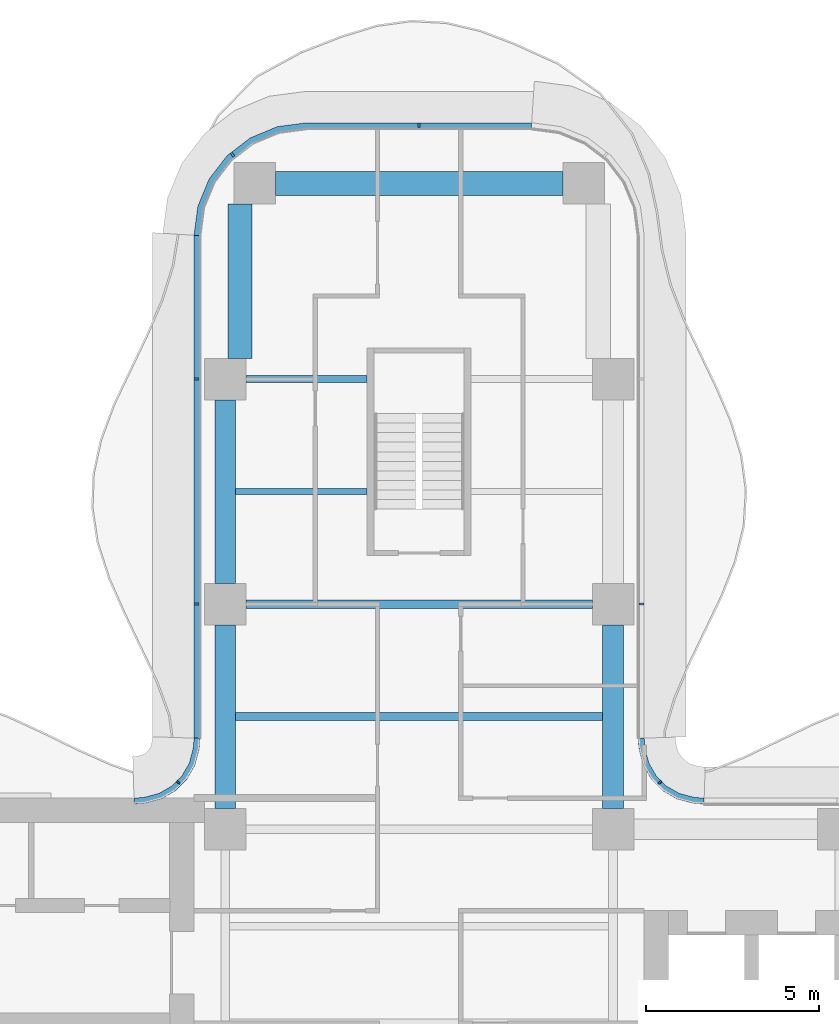
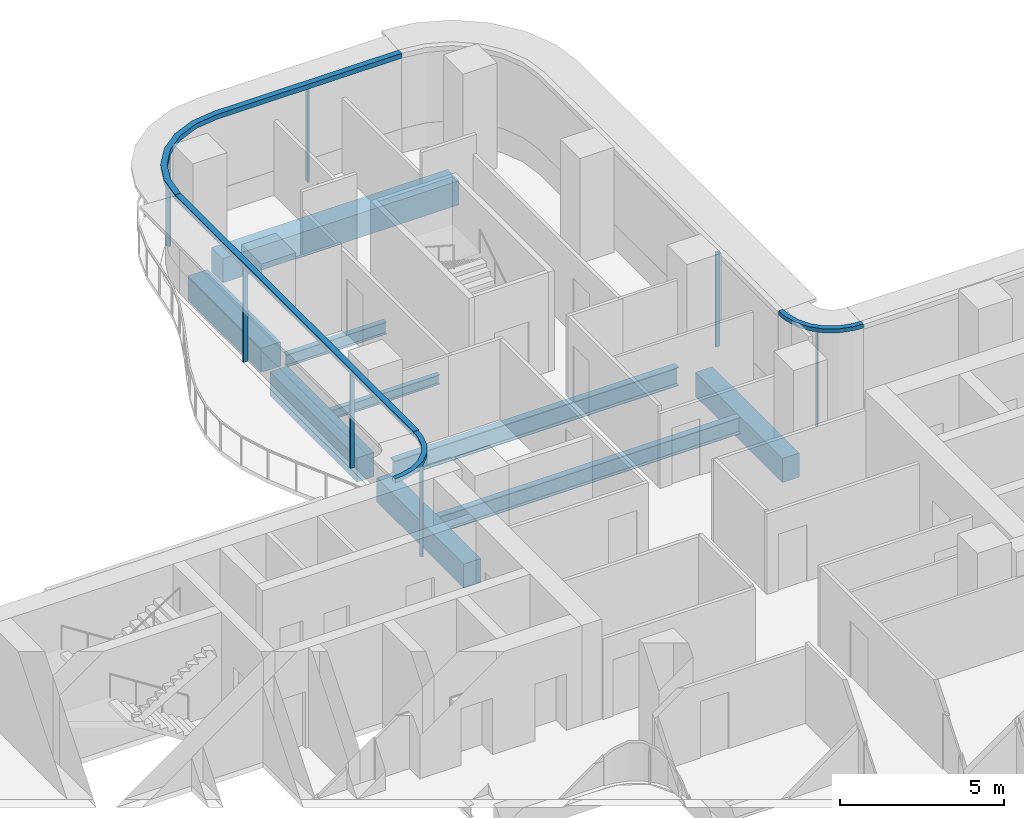
# One storey, part 7 of 18: 11 members, 9 beams, 5 elements without a shape of their own.
"""IFC4 building model written with IfcOpenShell, lengths in metres."""

from ifc_helpers import new_model, si_unit, direction, frame, origin, origin_2d, place, context, subcontext, project, spatial, polyline, rectangle, i_section, outline, extrude, source, transform, mapped, material, layer, layer_set, material_profile, profile_set, type_object, element, aggregate, save


model = new_model("IFC4")

# Units and contexts
model_context = context("Model", 3, precision=1e-05, world=origin(), true_north=direction((0.0, 1.0)))
body_context = subcontext(model_context, "Body", "Model", "MODEL_VIEW")
ifc_project = project(units=[si_unit("LENGTHUNIT", "METRE"), si_unit("AREAUNIT", "SQUARE_METRE"), si_unit("VOLUMEUNIT", "CUBIC_METRE"), si_unit("PLANEANGLEUNIT", "RADIAN"), si_unit("MASSUNIT", "GRAM", prefix="KILO")], contexts=[model_context])

# Site, building, storey
site_placement = place(None, origin())
site = spatial("IfcSite", under=ifc_project, at=site_placement, CompositionType="ELEMENT")
building_placement = place(site_placement, origin())
building = spatial("IfcBuilding", under=site, at=building_placement, Name="Trellis Farm Tower", CompositionType="ELEMENT")
storey_placement = place(building_placement, frame((0.0, 0.0, 177.60009765625)))
storey = spatial("IfcBuildingStorey", under=building, at=storey_placement, Name="L38", CompositionType="ELEMENT", Elevation=177.60009765625)

# Beams
ifc_material_1 = material(Name="Steel S355", Category="steel")
ifc_material_profile_1 = material_profile(ifc_material_1, i_section(OverallWidth=0.1904296875, OverallDepth=0.45703125, WebThickness=0.009033203125, FlangeThickness=0.014404296875, FilletRadius=0.01025390625, at=origin_2d()), Name="UB 457x191x74")
ifc_profile_set_1 = profile_set([ifc_material_profile_1], Name="Steel S355")
beam_type_1 = type_object("IfcBeamType", Name="UB 457x191x74", PredefinedType="BEAM", material=ifc_profile_set_1)
shared_shape_1 = source(origin(), body_context, "Body", "SweptSolid", [
    extrude(i_section(OverallWidth=0.1904296875, OverallDepth=0.45703125, WebThickness=0.009033203125, FlangeThickness=0.014404296875, FilletRadius=0.01025390625, at=origin_2d()), origin(), (0.0, 0.0, 1.0), 3.5),
])
beam_1_placement = place(storey_placement, frame((-5.0, 18.60009765625, -0.4287109375), z_axis=(1.0, 0.0, 0.0), x_axis=(0.0, 1.0, 0.0)))
element("IfcBeam", 1, at=beam_1_placement, inside=storey, type_object=beam_type_1, Name="Girder", PredefinedType="BEAM", context=body_context, shape_type="MappedRepresentation", body=[
    mapped(shared_shape_1, transform((0.0, 0.0, 0.0))),
])
ifc_material_2 = material(Name="Concrete C60/75", Category="concrete")
ifc_material_profile_2 = material_profile(ifc_material_2, rectangle(XDim=0.60009765625, YDim=0.89990234375, at=origin_2d()), Name="RC spandrel beam 600x900 C60/75")
ifc_profile_set_2 = profile_set([ifc_material_profile_2], Name="Concrete C60/75")
beam_type_2 = type_object("IfcBeamType", Name="RC spandrel beam 600x900 C60/75", PredefinedType="SPANDREL", material=ifc_profile_set_2)
shared_shape_2 = source(origin(), body_context, "Body", "SweptSolid", [
    extrude(rectangle(XDim=0.60009765625, YDim=0.89990234375, at=origin_2d()), origin(), (0.0, 0.0, 1.0), 5.300048828125),
])
for number, where, z_axis, x_axis, name in (
    (2, (-5.60009765625, 6.199951171875, -0.650146484375), (0.0, 1.0, 0.0), (-1.0, 0.0, 0.0), "Girder"),
    (3, (-5.60009765625, 12.699951171875, -0.650146484375), (0.0, 1.0, 0.0), (-1.0, 0.0, 0.0), "Girder"),
    (4, (5.60009765625, 6.199951171875, -0.650146484375), (0.0, 1.0, 0.0), (-1.0, 0.0, 0.0), "Girder"),
):
    element("IfcBeam", number, at=place(storey_placement, frame(where, z_axis=z_axis, x_axis=x_axis)), inside=storey, type_object=beam_type_2, Name=name, PredefinedType="SPANDREL", context=body_context, shape_type="MappedRepresentation", body=[
        mapped(shared_shape_2, transform((0.0, 0.0, 0.0))),
    ])
ifc_material_profile_3 = material_profile(ifc_material_1, i_section(OverallWidth=0.253662109375, OverallDepth=0.68359375, WebThickness=0.012451171875, FlangeThickness=0.021728515625, FilletRadius=0.01513671875, at=origin_2d()), Name="UB 686x254x140")
ifc_profile_set_3 = profile_set([ifc_material_profile_3], Name="Steel S355")
beam_type_3 = type_object("IfcBeamType", Name="UB 686x254x140", PredefinedType="BEAM", material=ifc_profile_set_3)
shared_shape_3 = source(origin(), body_context, "Body", "SweptSolid", [
    extrude(i_section(OverallWidth=0.253662109375, OverallDepth=0.68359375, WebThickness=0.012451171875, FlangeThickness=0.021728515625, FilletRadius=0.01513671875, at=origin_2d()), origin(), (0.0, 0.0, 1.0), 10.0),
])
beam_2_placement = place(storey_placement, frame((-5.0, 12.10009765625, -0.541748046875), z_axis=(1.0, 0.0, 0.0), x_axis=(0.0, 1.0, 0.0)))
element("IfcBeam", 5, at=beam_2_placement, inside=storey, type_object=beam_type_3, Name="Girder", PredefinedType="BEAM", context=body_context, shape_type="MappedRepresentation", body=[
    mapped(shared_shape_3, transform((0.0, 0.0, 0.0))),
])
ifc_material_profile_4 = material_profile(ifc_material_2, rectangle(XDim=0.699951171875, YDim=0.89990234375, at=origin_2d()), Name="RC spandrel beam 700x900 C60/75")
ifc_profile_set_4 = profile_set([ifc_material_profile_4], Name="Concrete C60/75")
beam_type_4 = type_object("IfcBeamType", Name="RC spandrel beam 700x900 C60/75", PredefinedType="SPANDREL", material=ifc_profile_set_4)
shared_shape_4 = source(origin(), body_context, "Body", "SweptSolid", [
    extrude(rectangle(XDim=0.699951171875, YDim=0.89990234375, at=origin_2d()), origin(), (0.0, 0.0, 1.0), 8.2998046875),
])
beam_3_placement = place(storey_placement, frame((-4.14990234375, 24.25, -0.650146484375), z_axis=(1.0, 0.0, 0.0), x_axis=(0.0, 1.0, 0.0)))
element("IfcBeam", 6, at=beam_3_placement, inside=storey, type_object=beam_type_4, Name="Girder", PredefinedType="SPANDREL", context=body_context, shape_type="MappedRepresentation", body=[
    mapped(shared_shape_4, transform((0.0, 0.0, 0.0))),
])
shared_shape_5 = source(origin(), body_context, "Body", "SweptSolid", [
    extrude(rectangle(XDim=0.699951171875, YDim=0.89990234375, at=origin_2d()), origin(), (0.0, 0.0, 1.0), 4.449951171875),
])
beam_4_placement = place(storey_placement, frame((-5.175048828125, 19.199951171875, -0.650146484375), z_axis=(0.0, 1.0, 0.0), x_axis=(-1.0, 0.0, 0.0)))
element("IfcBeam", 7, at=beam_4_placement, inside=storey, type_object=beam_type_4, Name="Girder", PredefinedType="SPANDREL", context=body_context, shape_type="MappedRepresentation", body=[
    mapped(shared_shape_5, transform((0.0, 0.0, 0.0))),
])
ifc_material_profile_5 = material_profile(ifc_material_1, i_section(OverallWidth=0.17138671875, OverallDepth=0.35498046875, WebThickness=0.00732421875, FlangeThickness=0.011474609375, FilletRadius=0.01025390625, at=origin_2d()), Name="UB 356x171x51")
ifc_profile_set_5 = profile_set([ifc_material_profile_5], Name="Steel S355")
beam_type_5 = type_object("IfcBeamType", Name="UB 356x171x51 joist", PredefinedType="JOIST", material=ifc_profile_set_5)
shared_shape_6 = source(origin(), body_context, "Body", "SweptSolid", [
    extrude(i_section(OverallWidth=0.17138671875, OverallDepth=0.35498046875, WebThickness=0.00732421875, FlangeThickness=0.011474609375, FilletRadius=0.01025390625, at=origin_2d()), origin(), (0.0, 0.0, 1.0), 3.800048828125),
])
beam_5_placement = place(storey_placement, frame((-5.300048828125, 15.35009765625, -0.377685546875), z_axis=(1.0, 0.0, 0.0), x_axis=(0.0, 1.0, 0.0)))
element("IfcBeam", 8, at=beam_5_placement, inside=storey, type_object=beam_type_5, Name="Floor beam", PredefinedType="JOIST", context=body_context, shape_type="MappedRepresentation", body=[
    mapped(shared_shape_6, transform((0.0, 0.0, 0.0))),
])
ifc_material_profile_6 = material_profile(ifc_material_1, i_section(OverallWidth=0.22900390625, OverallDepth=0.6123046875, WebThickness=0.011962890625, FlangeThickness=0.01953125, FilletRadius=0.0126953125, at=origin_2d()), Name="UB 610x229x125")
ifc_profile_set_6 = profile_set([ifc_material_profile_6], Name="Steel S355")
beam_type_6 = type_object("IfcBeamType", Name="UB 610x229x125 joist", PredefinedType="JOIST", material=ifc_profile_set_6)
shared_shape_7 = source(origin(), body_context, "Body", "SweptSolid", [
    extrude(i_section(OverallWidth=0.22900390625, OverallDepth=0.6123046875, WebThickness=0.011962890625, FlangeThickness=0.01953125, FilletRadius=0.0126953125, at=origin_2d()), origin(), (0.0, 0.0, 1.0), 10.60009765625),
])
beam_6_placement = place(storey_placement, frame((-5.300048828125, 8.85009765625, -0.506103515625), z_axis=(1.0, 0.0, 0.0), x_axis=(0.0, 1.0, 0.0)))
element("IfcBeam", 9, at=beam_6_placement, inside=storey, type_object=beam_type_6, Name="Floor beam", PredefinedType="JOIST", context=body_context, shape_type="MappedRepresentation", body=[
    mapped(shared_shape_7, transform((0.0, 0.0, 0.0))),
])

# Curtain wall, member
ifc_material_3 = material(Name="Aluminium and glass curtain wall", Category="aluminium")
ifc_layer_1 = layer(ifc_material_3, 0.18994140625)
ifc_layer_set_1 = layer_set([ifc_layer_1], Name="RIBBON CURTAIN WALL CW1")
curtain_wall_type_1 = type_object("IfcCurtainWallType", Name="RIBBON CURTAIN WALL CW1", PredefinedType="NOTDEFINED", material=ifc_layer_set_1)
placement_1 = place(storey_placement, origin())
curtain_wall_1 = element("IfcCurtainWall", 10, at=placement_1, inside=storey, type_object=curtain_wall_type_1, Name="CW1 011", PredefinedType="NOTDEFINED")
ifc_material_4 = material(Name="Aluminium extrusion 6063-T6", Category="aluminium")
ifc_layer_2 = layer(ifc_material_4, 0.199951171875)
ifc_layer_set_2 = layer_set([ifc_layer_2], Name="Aluminium extrusion 6063-T6")
member_type_1 = type_object("IfcMemberType", Name="CW1 TRANSOM 200x180", PredefinedType="USERDEFINED", material=ifc_layer_set_2)
shared_shape_8 = source(origin(), body_context, "Body", "SweptSolid", [
    extrude(outline(polyline([(-6.5, 22.75), (-6.5, 8.2314453125), (-6.300048828125, 8.224853515625), (-6.300048828125, 22.73681640625), (-6.5, 22.75)])), origin(), (0.0, 0.0, 1.0), 0.179931640625),
])
placement_2 = place(storey_placement, frame((0.0, 0.0, 3.52001953125)))
member_1 = element("IfcMember", 11, at=placement_2, type_object=member_type_1, Name="TR1 011", ObjectType="TRANSOM", PredefinedType="USERDEFINED", context=body_context, shape_type="MappedRepresentation", body=[
    mapped(shared_shape_8, transform((0.0, 0.0, 0.0))),
])

curtain_wall_2 = element("IfcCurtainWall", 12, at=placement_1, inside=storey, type_object=curtain_wall_type_1, Name="CW1 010", PredefinedType="NOTDEFINED")
shared_shape_9 = source(origin(), body_context, "Body", "SweptSolid", [
    extrude(outline(polyline([(3.25, 26.0), (-3.25, 26.0), (-4.091064453125, 25.88916015625), (-4.875, 25.564697265625), (-5.548095703125, 25.048095703125), (-6.064697265625, 24.375), (-6.38916015625, 23.591064453125), (-6.5, 22.75), (-6.300048828125, 22.73681640625), (-6.1943359375, 23.5390625), (-5.889892578125, 24.274169921875), (-5.405517578125, 24.905517578125), (-4.774169921875, 25.389892578125), (-4.0390625, 25.6943359375), (-3.23681640625, 25.800048828125), (3.23681640625, 25.800048828125), (3.25, 26.0)])), origin(), (0.0, 0.0, 1.0), 0.179931640625),
])
member_2 = element("IfcMember", 13, at=placement_2, type_object=member_type_1, Name="TR1 010", ObjectType="TRANSOM", PredefinedType="USERDEFINED", context=body_context, shape_type="MappedRepresentation", body=[
    mapped(shared_shape_9, transform((0.0, 0.0, 0.0))),
])

curtain_wall_3 = element("IfcCurtainWall", 14, at=placement_1, inside=storey, type_object=curtain_wall_type_1, Name="CW1 009", PredefinedType="NOTDEFINED")
ifc_material_profile_7 = material_profile(ifc_material_4, rectangle(XDim=0.06005859375, YDim=0.14990234375, at=origin_2d()), Name="MULLION 60x150")
ifc_profile_set_7 = profile_set([ifc_material_profile_7], Name="Aluminium extrusion 6063-T6")
member_type_2 = type_object("IfcMemberType", Name="CW1 MULLION 60x150", PredefinedType="MULLION", material=ifc_profile_set_7)
shared_shape_10 = source(origin(), body_context, "Body", "SweptSolid", [
    extrude(rectangle(XDim=0.06005859375, YDim=0.14990234375, at=origin_2d()), origin(), (0.0, 0.0, 1.0), 3.52001953125),
])
member_3_placement = place(storey_placement, frame((6.425048828125, 12.10009765625, 0.0), z_axis=(0.0, 0.0, 1.0), x_axis=(0.0, 1.0, 0.0)))
member_3 = element("IfcMember", 15, at=member_3_placement, type_object=member_type_2, Name="MU1 009-01", PredefinedType="MULLION", context=body_context, shape_type="MappedRepresentation", body=[
    mapped(shared_shape_10, transform((0.0, 0.0, 0.0))),
])
aggregate(curtain_wall_3, [member_3])

# Member
member_4_placement = place(storey_placement, frame((0.0, 25.925048828125, 0.0), z_axis=(0.0, 0.0, 1.0), x_axis=(-1.0, 0.0, 0.0)))
member_4 = element("IfcMember", 16, at=member_4_placement, type_object=member_type_2, Name="MU1 010-01", PredefinedType="MULLION", context=body_context, shape_type="MappedRepresentation", body=[
    mapped(shared_shape_10, transform((0.0, 0.0, 0.0))),
])

member_5_placement = place(storey_placement, frame((-5.385498046875, 25.078369140625, 0.0), z_axis=(0.0, 0.0, 1.0), x_axis=(-0.793353340291, -0.608761429009, 0.0)))
member_5 = element("IfcMember", 17, at=member_5_placement, type_object=member_type_2, Name="MU1 010-02", PredefinedType="MULLION", context=body_context, shape_type="MappedRepresentation", body=[
    mapped(shared_shape_10, transform((0.0, 0.0, 0.0))),
])

aggregate(curtain_wall_2, [member_4, member_5, member_2])

member_6_placement = place(storey_placement, frame((-6.425048828125, 18.60009765625, 0.0), z_axis=(0.0, 0.0, 1.0), x_axis=(0.0, -1.0, 0.0)))
member_6 = element("IfcMember", 18, at=member_6_placement, type_object=member_type_2, Name="MU1 011-01", PredefinedType="MULLION", context=body_context, shape_type="MappedRepresentation", body=[
    mapped(shared_shape_10, transform((0.0, 0.0, 0.0))),
])

member_7_placement = place(storey_placement, frame((-6.425048828125, 12.10009765625, 0.0), z_axis=(0.0, 0.0, 1.0), x_axis=(0.0, -1.0, 0.0)))
member_7 = element("IfcMember", 19, at=member_7_placement, type_object=member_type_2, Name="MU1 011-02", PredefinedType="MULLION", context=body_context, shape_type="MappedRepresentation", body=[
    mapped(shared_shape_10, transform((0.0, 0.0, 0.0))),
])

aggregate(curtain_wall_1, [member_6, member_7, member_1])

# Curtain wall, member
ifc_layer_3 = layer(ifc_material_3, 0.166015625)
ifc_layer_set_3 = layer_set([ifc_layer_3], Name="WINTER GARDEN CURTAIN WALL CW3")
curtain_wall_type_2 = type_object("IfcCurtainWallType", Name="WINTER GARDEN CURTAIN WALL CW3", PredefinedType="NOTDEFINED", material=ifc_layer_set_3)
curtain_wall_4 = element("IfcCurtainWall", 20, at=placement_1, inside=storey, type_object=curtain_wall_type_2, Name="CW3 003", PredefinedType="NOTDEFINED")
ifc_material_profile_8 = material_profile(ifc_material_4, rectangle(XDim=0.050048828125, YDim=0.1201171875, at=origin_2d()), Name="MULLION 50x120")
ifc_profile_set_8 = profile_set([ifc_material_profile_8], Name="Aluminium extrusion 6063-T6")
member_type_3 = type_object("IfcMemberType", Name="CW3 MULLION 50x120", PredefinedType="MULLION", material=ifc_profile_set_8)
shared_shape_11 = source(origin(), body_context, "Body", "SweptSolid", [
    extrude(rectangle(XDim=0.050048828125, YDim=0.1201171875, at=origin_2d()), origin(), (0.0, 0.0, 1.0), 3.5498046875),
])
member_8_placement = place(storey_placement, frame((6.953125, 6.953125, 0.0), z_axis=(0.0, 0.0, 1.0), x_axis=(-0.707106781187, 0.707106781187, 0.0)))
member_8 = element("IfcMember", 21, at=member_8_placement, type_object=member_type_3, Name="MU3 003-01", PredefinedType="MULLION", context=body_context, shape_type="MappedRepresentation", body=[
    mapped(shared_shape_11, transform((0.0, 0.0, 0.0))),
])

curtain_wall_5 = element("IfcCurtainWall", 22, at=placement_1, inside=storey, type_object=curtain_wall_type_2, Name="CW3 004", PredefinedType="NOTDEFINED")
member_9_placement = place(storey_placement, frame((-6.953125, 6.953125, 0.0), z_axis=(0.0, 0.0, 1.0), x_axis=(-0.707106781187, -0.707106781187, 0.0)))
member_9 = element("IfcMember", 23, at=member_9_placement, type_object=member_type_3, Name="MU3 004-01", PredefinedType="MULLION", context=body_context, shape_type="MappedRepresentation", body=[
    mapped(shared_shape_11, transform((0.0, 0.0, 0.0))),
])

# Member
ifc_layer_4 = layer(ifc_material_4, 0.169921875)
ifc_layer_set_4 = layer_set([ifc_layer_4], Name="Aluminium extrusion 6063-T6")
member_type_4 = type_object("IfcMemberType", Name="CW3 TRANSOM 170x150", PredefinedType="USERDEFINED", material=ifc_layer_set_4)
shared_shape_12 = source(origin(), body_context, "Body", "SweptSolid", [
    extrude(outline(polyline([(8.2314453125, 6.5), (8.01953125, 6.513916015625), (7.91552734375, 6.527587890625), (7.508544921875, 6.63671875), (7.144287109375, 6.846923828125), (6.846923828125, 7.144287109375), (6.63671875, 7.508544921875), (6.527587890625, 7.91552734375), (6.513916015625, 8.01953125), (6.5, 8.2314453125), (6.330078125, 8.225830078125), (6.3447265625, 8.0029296875), (6.360595703125, 7.88232421875), (6.478271484375, 7.44287109375), (6.7109375, 7.0400390625), (7.0400390625, 6.7109375), (7.44287109375, 6.478271484375), (7.88232421875, 6.360595703125), (8.0029296875, 6.3447265625), (8.225830078125, 6.330078125), (8.2314453125, 6.5)])), origin(), (0.0, 0.0, 1.0), 0.150146484375),
])
placement_3 = place(storey_placement, frame((0.0, 0.0, 3.5498046875)))
member_10 = element("IfcMember", 24, at=placement_3, type_object=member_type_4, Name="TR3 003", ObjectType="TRANSOM", PredefinedType="USERDEFINED", context=body_context, shape_type="MappedRepresentation", body=[
    mapped(shared_shape_12, transform((0.0, 0.0, 0.0))),
])

aggregate(curtain_wall_4, [member_8, member_10])

shared_shape_13 = source(origin(), body_context, "Body", "SweptSolid", [
    extrude(outline(polyline([(-6.5, 8.2314453125), (-6.513916015625, 8.01953125), (-6.527587890625, 7.91552734375), (-6.63671875, 7.508544921875), (-6.846923828125, 7.144287109375), (-7.144287109375, 6.846923828125), (-7.508544921875, 6.63671875), (-7.91552734375, 6.527587890625), (-8.01953125, 6.513916015625), (-8.2314453125, 6.5), (-8.225830078125, 6.330078125), (-8.0029296875, 6.3447265625), (-7.88232421875, 6.360595703125), (-7.44287109375, 6.478271484375), (-7.0400390625, 6.7109375), (-6.7109375, 7.0400390625), (-6.478271484375, 7.44287109375), (-6.360595703125, 7.88232421875), (-6.3447265625, 8.0029296875), (-6.330078125, 8.225830078125), (-6.5, 8.2314453125)])), origin(), (0.0, 0.0, 1.0), 0.150146484375),
])
member_11 = element("IfcMember", 25, at=placement_3, type_object=member_type_4, Name="TR3 004", ObjectType="TRANSOM", PredefinedType="USERDEFINED", context=body_context, shape_type="MappedRepresentation", body=[
    mapped(shared_shape_13, transform((0.0, 0.0, 0.0))),
])

aggregate(curtain_wall_5, [member_9, member_11])

save(model, "model.ifc")
